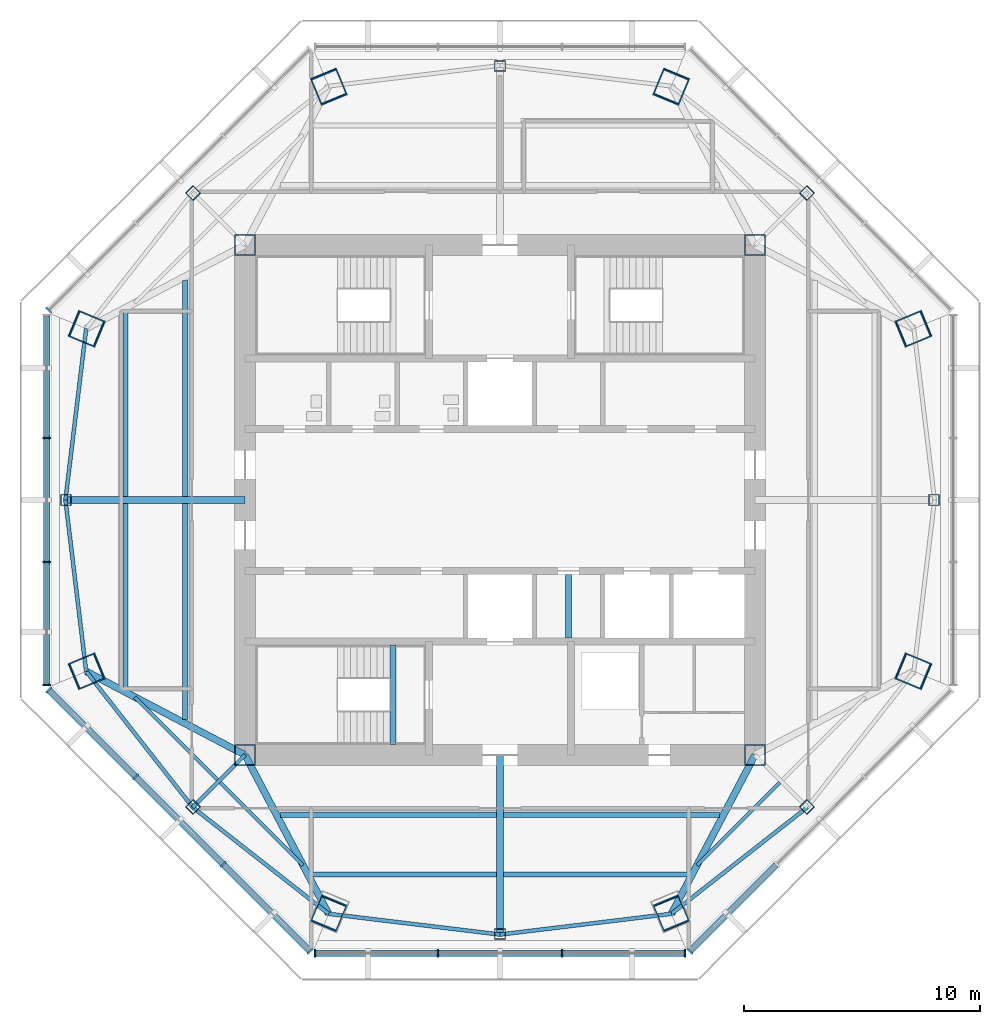
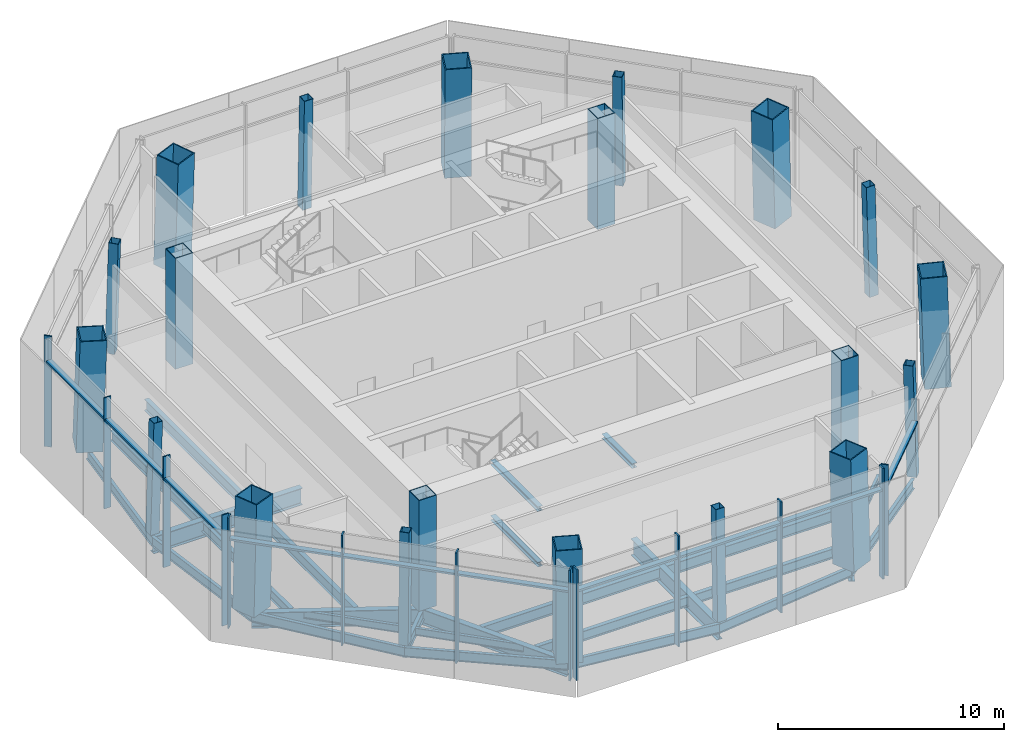
# One storey, part 1 of 11: 27 beams, 23 members, 20 columns, 5 elements without a shape of their own.
"""IFC4 building model written with IfcOpenShell, lengths in metres."""

from ifc_helpers import new_model, si_unit, direction, frame, origin, origin_2d, place, context, subcontext, project, spatial, rectangle, hollow_rectangle, i_section, extrude, source, transform, mapped, material, material_profile, profile_set, type_object, type_shapes, element, aggregate, save


model = new_model("IFC4")

# Units and contexts
model_context = context("Model", 3, precision=1e-05, world=origin(), true_north=direction((0.0, 1.0)))
body_context = subcontext(model_context, "Body", "Model", "MODEL_VIEW")
ifc_project = project(units=[si_unit("LENGTHUNIT", "METRE"), si_unit("AREAUNIT", "SQUARE_METRE"), si_unit("VOLUMEUNIT", "CUBIC_METRE"), si_unit("PLANEANGLEUNIT", "RADIAN"), si_unit("MASSUNIT", "GRAM", prefix="KILO")], contexts=[model_context])

# Site, building, storey
site_placement = place(None, origin())
site = spatial("IfcSite", under=ifc_project, at=site_placement, CompositionType="ELEMENT")
building_placement = place(site_placement, origin())
building = spatial("IfcBuilding", under=site, at=building_placement, Name="Mashrafa Tower", CompositionType="ELEMENT")
storey_placement = place(building_placement, frame((0.0, 0.0, 311.60009765625)))
storey = spatial("IfcBuildingStorey", under=building, at=storey_placement, Name="L77", CompositionType="ELEMENT", Elevation=311.60009765625)

# Columns
ifc_material_1 = material(Name="Steel ASTM A572 Gr 50", Category="steel")
ifc_material_profile_1 = material_profile(ifc_material_1, hollow_rectangle(XDim=0.89990234375, YDim=0.89990234375, WallThickness=0.0400390625, at=origin_2d()), Name="BOX900X900X40")
ifc_profile_set_1 = profile_set([ifc_material_profile_1], Name="Steel ASTM A572 Gr 50")
column_type_1 = type_object("IfcColumnType", Name="Core corner column BOX900X900X40", PredefinedType="COLUMN", material=ifc_profile_set_1)
for number, where, z_axis, x_axis, name in (
    (1, (10.800048828125, 10.800048828125, 0.0), (0.0, 0.0, 1.0), (1.0, 0.0, 0.0), "Core corner column CC-NE L77"),
    (2, (-10.800048828125, 10.800048828125, 0.0), (0.0, 0.0, 1.0), (1.0, 0.0, 0.0), "Core corner column CC-NW L77"),
    (3, (-10.800048828125, -10.800048828125, 0.0), (0.0, 0.0, 1.0), (1.0, 0.0, 0.0), "Core corner column CC-SW L77"),
    (4, (10.800048828125, -10.800048828125, 0.0), (0.0, 0.0, 1.0), (1.0, 0.0, 0.0), "Core corner column CC-SE L77"),
):
    element("IfcColumn", number, at=place(storey_placement, frame(where, z_axis=z_axis, x_axis=x_axis)), inside=storey, type_object=column_type_1, Name=name, PredefinedType="COLUMN", context=body_context, shape_type="SweptSolid", body=[
        extrude(hollow_rectangle(XDim=0.89990234375, YDim=0.89990234375, WallThickness=0.0400390625, at=origin_2d()), origin(), (0.0, 0.0, 1.0), 6.0),
    ])
ifc_material_2 = material(Name="Steel ASTM A572 Gr 50", Category="steel")
ifc_material_profile_2 = material_profile(ifc_material_2, hollow_rectangle(XDim=1.199951171875, YDim=1.199951171875, WallThickness=0.054931640625, at=origin_2d()), Name="BOX1200X1200X55")
ifc_profile_set_2 = profile_set([ifc_material_profile_2], Name="Steel ASTM A572 Gr 50")
column_type_2 = type_object("IfcColumnType", Name="Mega column CFST BOX1200X1200X55", PredefinedType="COLUMN", material=ifc_profile_set_2)
for number, where, z_axis, x_axis, name in (
    (5, (17.521728515625, 7.2578125, 0.0), (-0.028266381762, -0.011713263234, 0.999531795956), (0.38282136346, -0.923822387517, 0.0), "Mega column MC1 L77"),
    (6, (7.2578125, 17.521728515625, 0.0), (-0.011713263234, -0.028266381762, 0.999531795956), (0.923822387517, -0.38282136346, 0.0), "Mega column MC2 L77"),
    (7, (-7.2578125, 17.521728515625, 0.0), (0.011713263234, -0.028266381762, 0.999531795956), (0.923822387517, 0.38282136346, 0.0), "Mega column MC3 L77"),
    (8, (-17.521728515625, 7.2578125, 0.0), (0.028266381762, -0.011713263234, 0.999531795956), (0.38282136346, 0.923822387517, 0.0), "Mega column MC4 L77"),
    (9, (-17.521728515625, -7.2578125, 0.0), (0.028266381762, 0.011713263234, 0.999531795956), (-0.38282136346, 0.923822387517, 0.0), "Mega column MC5 L77"),
    (10, (-7.2578125, -17.521728515625, 0.0), (0.011713263234, 0.028266381762, 0.999531795956), (-0.923822387517, 0.38282136346, 0.0), "Mega column MC6 L77"),
    (11, (7.2578125, -17.521728515625, 0.0), (-0.011713263234, 0.028266381762, 0.999531795956), (-0.923822387517, -0.38282136346, 0.0), "Mega column MC7 L77"),
    (12, (17.521728515625, -7.2578125, 0.0), (-0.028266381762, 0.011713263234, 0.999531795956), (-0.38282136346, -0.923822387517, 0.0), "Mega column MC8 L77"),
):
    element("IfcColumn", number, at=place(storey_placement, frame(where, z_axis=z_axis, x_axis=x_axis)), inside=storey, type_object=column_type_2, Name=name, PredefinedType="COLUMN", context=body_context, shape_type="SweptSolid", body=[
        extrude(hollow_rectangle(XDim=1.199951171875, YDim=1.199951171875, WallThickness=0.054931640625, at=origin_2d()), origin(), (0.0, 0.0, 1.0), 6.0029296875),
    ])
ifc_material_3 = material(Name="Steel ASTM A572 Gr 50", Category="steel")
ifc_material_profile_3 = material_profile(ifc_material_3, hollow_rectangle(XDim=0.449951171875, YDim=0.449951171875, WallThickness=0.02001953125, at=origin_2d()), Name="BOX450X450X20")
ifc_profile_set_3 = profile_set([ifc_material_profile_3], Name="Steel ASTM A572 Gr 50")
column_type_3 = type_object("IfcColumnType", Name="Secondary column BOX450X450X20", PredefinedType="COLUMN", material=ifc_profile_set_3)
for number, where, z_axis, x_axis, name in (
    (13, (18.39990234375, 0.0, 0.0), (-0.028268321043, 0.0, 0.999600371161), (0.0, -1.0, 0.0), "Secondary column SC1 L77"),
    (14, (13.0107421875, 13.0107421875, 0.0), (-0.02001151261, -0.02001151261, 0.999599459147), (0.707106781187, -0.707106781187, 0.0), "Secondary column SC2 L77"),
    (15, (0.0, 18.39990234375, 0.0), (0.0, -0.028268321043, 0.999600371161), (1.0, 0.0, 0.0), "Secondary column SC3 L77"),
    (16, (-13.0107421875, 13.0107421875, 0.0), (0.02001151261, -0.02001151261, 0.999599459147), (0.707106781187, 0.707106781187, 0.0), "Secondary column SC4 L77"),
    (17, (-18.39990234375, 0.0, 0.0), (0.028268321043, 0.0, 0.999600371161), (0.0, 1.0, 0.0), "Secondary column SC5 L77"),
    (18, (-13.0107421875, -13.0107421875, 0.0), (0.02001151261, 0.02001151261, 0.999599459147), (-0.707106781187, 0.707106781187, 0.0), "Secondary column SC6 L77"),
    (19, (0.0, -18.39990234375, 0.0), (0.0, 0.028268321043, 0.999600371161), (-1.0, 0.0, 0.0), "Secondary column SC7 L77"),
    (20, (13.0107421875, -13.0107421875, 0.0), (-0.02001151261, 0.02001151261, 0.999599459147), (-0.707106781187, -0.707106781187, 0.0), "Secondary column SC8 L77"),
):
    element("IfcColumn", number, at=place(storey_placement, frame(where, z_axis=z_axis, x_axis=x_axis)), inside=storey, type_object=column_type_3, Name=name, PredefinedType="COLUMN", context=body_context, shape_type="SweptSolid", body=[
        extrude(hollow_rectangle(XDim=0.449951171875, YDim=0.449951171875, WallThickness=0.02001953125, at=origin_2d()), origin(), (0.0, 0.0, 1.0), 6.00244140625),
    ])

# Beams
ifc_material_4 = material(Name="Steel ASTM A992", Category="steel")
ifc_material_profile_4 = material_profile(ifc_material_4, i_section(OverallWidth=0.140380859375, OverallDepth=0.40380859375, WebThickness=0.007080078125, FlangeThickness=0.01123046875, FilletRadius=0.01025390625, at=origin_2d()), Name="W16X31")
ifc_profile_set_4 = profile_set([ifc_material_profile_4], Name="Steel ASTM A992")
beam_type_1 = type_object("IfcBeamType", Name="Beam W16X31", PredefinedType="BEAM", material=ifc_profile_set_4)
for number, where, z_axis, x_axis, name in (
    (21, (-11.970458984375, -11.844482421875, -0.402099609375), (-0.707082147182, 0.707131414333, 0.0), (-0.707131414333, -0.707082147182, 0.0), "Floor beam L77 006"),
    (22, (-8.34033203125, -15.474365234375, -0.402099609375), (-0.707131414333, 0.707082147182, 0.0), (-0.707082147182, -0.707131414333, 0.0), "Floor beam L77 009"),
    (23, (11.844482421875, -11.970458984375, -0.402099609375), (-0.707131414333, -0.707082147182, 0.0), (0.707082147182, -0.707131414333, 0.0), "Floor beam L77 018"),
):
    element("IfcBeam", number, at=place(storey_placement, frame(where, z_axis=z_axis, x_axis=x_axis)), inside=storey, type_object=beam_type_1, Name=name, PredefinedType="BEAM", context=body_context, shape_type="SweptSolid", body=[
        extrude(i_section(OverallWidth=0.140380859375, OverallDepth=0.40380859375, WebThickness=0.007080078125, FlangeThickness=0.01123046875, FilletRadius=0.01025390625, at=origin_2d()), origin(), (0.0, 0.0, 1.0), 4.95556640625),
    ])
ifc_material_5 = material(Name="Steel ASTM A992", Category="steel")
ifc_material_profile_5 = material_profile(ifc_material_5, i_section(OverallWidth=0.1650390625, OverallDepth=0.52587890625, WebThickness=0.0087890625, FlangeThickness=0.011474609375, FilletRadius=0.0126953125, at=origin_2d()), Name="W21X44")
ifc_profile_set_5 = profile_set([ifc_material_profile_5], Name="Steel ASTM A992")
beam_type_2 = type_object("IfcBeamType", Name="Beam W21X44", PredefinedType="BEAM", material=ifc_profile_set_5)
beam_1_placement = place(storey_placement, frame((-18.40576171875, 0.0, -0.462890625), z_axis=(0.12008510187, -0.992763601422, 0.0), x_axis=(0.992763601422, 0.12008510187, 0.0)))
element("IfcBeam", 24, at=beam_1_placement, inside=storey, type_object=beam_type_2, Name="Spandrel beam L77 041", PredefinedType="BEAM", context=body_context, shape_type="SweptSolid", body=[
    extrude(i_section(OverallWidth=0.1650390625, OverallDepth=0.52587890625, WebThickness=0.0087890625, FlangeThickness=0.011474609375, FilletRadius=0.0126953125, at=origin_2d()), origin(), (0.0, 0.0, 1.0), 7.31298828125),
])
beam_2_placement = place(storey_placement, frame((-17.527587890625, -7.260009765625, -0.462890625), z_axis=(0.617060498234, -0.786915714368, 0.0), x_axis=(0.786915714368, 0.617060498234, 0.0)))
element("IfcBeam", 25, at=beam_2_placement, inside=storey, type_object=beam_type_2, Name="Spandrel beam L77 042", PredefinedType="BEAM", context=body_context, shape_type="SweptSolid", body=[
    extrude(i_section(OverallWidth=0.1650390625, OverallDepth=0.52587890625, WebThickness=0.0087890625, FlangeThickness=0.011474609375, FilletRadius=0.0126953125, at=origin_2d()), origin(), (0.0, 0.0, 1.0), 7.313232421875),
])
beam_3_placement = place(storey_placement, frame((-17.527587890625, 7.260009765625, -0.462890625), z_axis=(-0.12008510187, -0.992763601422, 0.0), x_axis=(0.992763601422, -0.12008510187, 0.0)))
element("IfcBeam", 26, at=beam_3_placement, inside=storey, type_object=beam_type_2, Name="Spandrel beam L77 043", PredefinedType="BEAM", context=body_context, shape_type="SweptSolid", body=[
    extrude(i_section(OverallWidth=0.1650390625, OverallDepth=0.52587890625, WebThickness=0.0087890625, FlangeThickness=0.011474609375, FilletRadius=0.0126953125, at=origin_2d()), origin(), (0.0, 0.0, 1.0), 7.31298828125),
])
beam_4_placement = place(storey_placement, frame((-13.014892578125, -13.014892578125, -0.462890625), z_axis=(0.786915714368, -0.617060498234, 0.0), x_axis=(0.617060498234, 0.786915714368, 0.0)))
element("IfcBeam", 27, at=beam_4_placement, inside=storey, type_object=beam_type_2, Name="Spandrel beam L77 044", PredefinedType="BEAM", context=body_context, shape_type="SweptSolid", body=[
    extrude(i_section(OverallWidth=0.1650390625, OverallDepth=0.52587890625, WebThickness=0.0087890625, FlangeThickness=0.011474609375, FilletRadius=0.0126953125, at=origin_2d()), origin(), (0.0, 0.0, 1.0), 7.313232421875),
])
for number, where, z_axis, x_axis, name in (
    (28, (-7.260009765625, -17.527587890625, -0.462890625), (0.992763601422, -0.12008510187, 0.0), (0.12008510187, 0.992763601422, 0.0), "Spandrel beam L77 046"),
    (29, (0.0, -18.40576171875, -0.462890625), (0.992763601422, 0.12008510187, 0.0), (-0.12008510187, 0.992763601422, 0.0), "Spandrel beam L77 048"),
):
    element("IfcBeam", number, at=place(storey_placement, frame(where, z_axis=z_axis, x_axis=x_axis)), inside=storey, type_object=beam_type_2, Name=name, PredefinedType="BEAM", context=body_context, shape_type="SweptSolid", body=[
        extrude(i_section(OverallWidth=0.1650390625, OverallDepth=0.52587890625, WebThickness=0.0087890625, FlangeThickness=0.011474609375, FilletRadius=0.0126953125, at=origin_2d()), origin(), (0.0, 0.0, 1.0), 7.31298828125),
    ])
beam_5_placement = place(storey_placement, frame((7.260009765625, -17.527587890625, -0.462890625), z_axis=(0.786915714368, 0.617060498234, 0.0), x_axis=(-0.617060498234, 0.786915714368, 0.0)))
element("IfcBeam", 30, at=beam_5_placement, inside=storey, type_object=beam_type_2, Name="Spandrel beam L77 050", PredefinedType="BEAM", context=body_context, shape_type="SweptSolid", body=[
    extrude(i_section(OverallWidth=0.1650390625, OverallDepth=0.52587890625, WebThickness=0.0087890625, FlangeThickness=0.011474609375, FilletRadius=0.0126953125, at=origin_2d()), origin(), (0.0, 0.0, 1.0), 7.313232421875),
])
ifc_material_6 = material(Name="Steel ASTM A992", Category="steel")
ifc_material_profile_6 = material_profile(ifc_material_6, i_section(OverallWidth=0.209228515625, OverallDepth=0.533447265625, WebThickness=0.01025390625, FlangeThickness=0.015625, FilletRadius=0.012939453125, at=origin_2d()), Name="W21X62")
ifc_profile_set_6 = profile_set([ifc_material_profile_6], Name="Steel ASTM A992")
beam_type_3 = type_object("IfcBeamType", Name="Beam W21X62", PredefinedType="BEAM", material=ifc_profile_set_6)
for number, where, z_axis, x_axis, name in (
    (31, (-15.87060546875, -7.967041015625, -0.466796875), (0.0, 1.0, 0.0), (-1.0, 0.0, 0.0), "Floor beam L77 001"),
    (32, (-15.87060546875, 0.15234375, -0.466796875), (0.0, 1.0, 0.0), (-1.0, 0.0, 0.0), "Floor beam L77 002"),
    (33, (-0.15234375, -15.87060546875, -0.466796875), (-1.0, 0.0, 0.0), (0.0, -1.0, 0.0), "Floor beam L77 011"),
    (34, (7.967041015625, -15.87060546875, -0.466796875), (-1.0, 0.0, 0.0), (0.0, -1.0, 0.0), "Floor beam L77 015"),
):
    element("IfcBeam", number, at=place(storey_placement, frame(where, z_axis=z_axis, x_axis=x_axis)), inside=storey, type_object=beam_type_3, Name=name, PredefinedType="BEAM", context=body_context, shape_type="SweptSolid", body=[
        extrude(i_section(OverallWidth=0.209228515625, OverallDepth=0.533447265625, WebThickness=0.01025390625, FlangeThickness=0.015625, FilletRadius=0.012939453125, at=origin_2d()), origin(), (0.0, 0.0, 1.0), 7.814697265625),
    ])
ifc_material_7 = material(Name="Steel ASTM A992", Category="steel")
ifc_material_profile_7 = material_profile(ifc_material_7, i_section(OverallWidth=0.177978515625, OverallDepth=0.599365234375, WebThickness=0.010009765625, FlangeThickness=0.012939453125, FilletRadius=0.012939453125, at=origin_2d()), Name="W24X55")
ifc_profile_set_7 = profile_set([ifc_material_profile_7], Name="Steel ASTM A992")
beam_type_4 = type_object("IfcBeamType", Name="Beam W24X55", PredefinedType="BEAM", material=ifc_profile_set_7)
beam_6_placement = place(storey_placement, frame((-10.800048828125, -10.800048828125, -0.499755859375), z_axis=(-0.707106781187, -0.707106781187, 0.0), x_axis=(0.707106781187, -0.707106781187, 0.0)))
element("IfcBeam", 35, at=beam_6_placement, inside=storey, type_object=beam_type_4, Name="Radial girder L77 026", PredefinedType="BEAM", context=body_context, shape_type="SweptSolid", body=[
    extrude(i_section(OverallWidth=0.177978515625, OverallDepth=0.599365234375, WebThickness=0.010009765625, FlangeThickness=0.012939453125, FilletRadius=0.012939453125, at=origin_2d()), origin(), (0.0, 0.0, 1.0), 3.13232421875),
])
ifc_material_8 = material(Name="Steel ASTM A992", Category="steel")
ifc_material_profile_8 = material_profile(ifc_material_8, i_section(OverallWidth=0.227783203125, OverallDepth=0.60205078125, WebThickness=0.010498046875, FlangeThickness=0.014892578125, FilletRadius=0.012939453125, at=origin_2d()), Name="W24X68")
ifc_profile_set_8 = profile_set([ifc_material_profile_8], Name="Steel ASTM A992")
beam_type_5 = type_object("IfcBeamType", Name="Beam W24X68", PredefinedType="BEAM", material=ifc_profile_set_8)
for number, where, z_axis, x_axis, name in (
    (36, (-13.335205078125, -9.301025390625, -0.5009765625), (0.0, 1.0, 0.0), (-1.0, 0.0, 0.0), "Floor beam L77 004"),
    (37, (-13.335205078125, 0.15234375, -0.5009765625), (0.0, 1.0, 0.0), (-1.0, 0.0, 0.0), "Floor beam L77 005"),
    (38, (-0.15234375, -13.335205078125, -0.5009765625), (-1.0, 0.0, 0.0), (0.0, -1.0, 0.0), "Floor beam L77 012"),
    (39, (9.301025390625, -13.335205078125, -0.5009765625), (-1.0, 0.0, 0.0), (0.0, -1.0, 0.0), "Floor beam L77 017"),
):
    element("IfcBeam", number, at=place(storey_placement, frame(where, z_axis=z_axis, x_axis=x_axis)), inside=storey, type_object=beam_type_5, Name=name, PredefinedType="BEAM", context=body_context, shape_type="SweptSolid", body=[
        extrude(i_section(OverallWidth=0.227783203125, OverallDepth=0.60205078125, WebThickness=0.010498046875, FlangeThickness=0.014892578125, FilletRadius=0.012939453125, at=origin_2d()), origin(), (0.0, 0.0, 1.0), 9.148681640625),
    ])
ifc_material_9 = material(Name="Steel ASTM A992", Category="steel")
ifc_material_profile_9 = material_profile(ifc_material_9, i_section(OverallWidth=0.2919921875, OverallDepth=0.8408203125, WebThickness=0.0146484375, FlangeThickness=0.021728515625, FilletRadius=0.017333984375, at=origin_2d()), Name="W33X130")
ifc_profile_set_9 = profile_set([ifc_material_profile_9], Name="Steel ASTM A992")
beam_type_6 = type_object("IfcBeamType", Name="Beam W33X130", PredefinedType="BEAM", material=ifc_profile_set_9)
for number, where, z_axis, x_axis, name in (
    (40, (-10.800048828125, -10.800048828125, -0.620361328125), (-0.884960017039, 0.465667014337, 0.0), (-0.465667014337, -0.884960017039, 0.0), "Radial girder L77 025"),
    (41, (-10.800048828125, -10.800048828125, -0.620361328125), (0.465667014337, -0.884960017039, 0.0), (0.884960017039, 0.465667014337, 0.0), "Radial girder L77 027"),
    (42, (10.800048828125, -10.800048828125, -0.620361328125), (-0.465667014337, -0.884960017039, 0.0), (0.884960017039, -0.465667014337, 0.0), "Radial girder L77 034"),
):
    element("IfcBeam", number, at=place(storey_placement, frame(where, z_axis=z_axis, x_axis=x_axis)), inside=storey, type_object=beam_type_6, Name=name, PredefinedType="BEAM", context=body_context, shape_type="SweptSolid", body=[
        extrude(i_section(OverallWidth=0.2919921875, OverallDepth=0.8408203125, WebThickness=0.0146484375, FlangeThickness=0.021728515625, FilletRadius=0.017333984375, at=origin_2d()), origin(), (0.0, 0.0, 1.0), 7.60205078125),
    ])
ifc_material_10 = material(Name="Steel ASTM A992", Category="steel")
ifc_material_profile_10 = material_profile(ifc_material_10, i_section(OverallWidth=0.3046875, OverallDepth=0.911865234375, WebThickness=0.015869140625, FlangeThickness=0.02392578125, FilletRadius=0.01904296875, at=origin_2d()), Name="W36X150")
ifc_profile_set_10 = profile_set([ifc_material_profile_10], Name="Steel ASTM A992")
beam_type_7 = type_object("IfcBeamType", Name="Beam W36X150", PredefinedType="BEAM", material=ifc_profile_set_10)
for number, where, z_axis, x_axis, name in (
    (43, (-10.800048828125, 0.0, -0.656005859375), (-1.0, 0.0, 0.0), (0.0, -1.0, 0.0), "Radial girder L77 028"),
    (44, (0.0, -10.800048828125, -0.656005859375), (0.0, -1.0, 0.0), (1.0, 0.0, 0.0), "Radial girder L77 032"),
):
    element("IfcBeam", number, at=place(storey_placement, frame(where, z_axis=z_axis, x_axis=x_axis)), inside=storey, type_object=beam_type_7, Name=name, PredefinedType="BEAM", context=body_context, shape_type="SweptSolid", body=[
        extrude(i_section(OverallWidth=0.3046875, OverallDepth=0.911865234375, WebThickness=0.015869140625, FlangeThickness=0.02392578125, FilletRadius=0.01904296875, at=origin_2d()), origin(), (0.0, 0.0, 1.0), 7.605712890625),
    ])
ifc_material_11 = material(Name="Steel ASTM A992", Category="steel")
ifc_material_profile_11 = material_profile(ifc_material_11, i_section(OverallWidth=0.25390625, OverallDepth=0.25390625, WebThickness=0.008544921875, FlangeThickness=0.01416015625, FilletRadius=0.010009765625, at=origin_2d()), Name="W10X49")
ifc_profile_set_11 = profile_set([ifc_material_profile_11], Name="Steel ASTM A992")
beam_type_8 = type_object("IfcBeamType", Name="Hoistway beam W10X49", PredefinedType="BEAM", material=ifc_profile_set_11)
beam_7_placement = place(storey_placement, frame((2.89990234375, -5.85009765625, -0.3271484375), z_axis=(0.0, 1.0, 0.0), x_axis=(-1.0, 0.0, 0.0)))
element("IfcBeam", 45, at=beam_7_placement, inside=storey, type_object=beam_type_8, Name="Hoistway beam L77 08", PredefinedType="BEAM", context=body_context, shape_type="SweptSolid", body=[
    extrude(i_section(OverallWidth=0.25390625, OverallDepth=0.25390625, WebThickness=0.008544921875, FlangeThickness=0.01416015625, FilletRadius=0.010009765625, at=origin_2d()), origin(), (0.0, 0.0, 1.0), 2.7001953125),
])
for number, where, z_axis, x_axis, name in (
    (46, (-4.530029296875, -10.35009765625, -0.3271484375), (0.0, 1.0, 0.0), (-1.0, 0.0, 0.0), "Stair S3 landing beam L77"),
    (47, (-4.530029296875, -10.35009765625, 2.6728515625), (0.0, 1.0, 0.0), (-1.0, 0.0, 0.0), "Stair S3 landing beam L77"),
):
    element("IfcBeam", number, at=place(storey_placement, frame(where, z_axis=z_axis, x_axis=x_axis)), inside=storey, type_object=beam_type_8, Name=name, PredefinedType="BEAM", context=body_context, shape_type="SweptSolid", body=[
        extrude(i_section(OverallWidth=0.25390625, OverallDepth=0.25390625, WebThickness=0.008544921875, FlangeThickness=0.01416015625, FilletRadius=0.010009765625, at=origin_2d()), origin(), (0.0, 0.0, 1.0), 4.2001953125),
    ])

# Curtain wall, member
ifc_material_12 = material(Name="Unitised aluminium curtain wall", Category="aluminium")
curtain_wall_type = type_object("IfcCurtainWallType", Name="Observation curtain wall CW-F 350 deep", PredefinedType="NOTDEFINED", material=ifc_material_12)
curtain_wall_1_placement = place(storey_placement, origin())
curtain_wall_1 = element("IfcCurtainWall", 48, at=curtain_wall_1_placement, inside=storey, type_object=curtain_wall_type, Name="Observation curtain wall L77 north-west", PredefinedType="NOTDEFINED")
ifc_material_13 = material(Name="Extruded aluminium mullion", Category="aluminium")
ifc_material_profile_12 = material_profile(ifc_material_13, rectangle(XDim=0.35009765625, YDim=0.074951171875, at=origin_2d()), Name="Mullion 75x350")
ifc_profile_set_12 = profile_set([ifc_material_profile_12], Name="Extruded aluminium mullion")
member_type_1 = type_object("IfcMemberType", Name="Mullion CW-F 75 x 350", PredefinedType="MULLION", material=ifc_profile_set_12)
shared_shape_1 = source(origin(), body_context, "Body", "SweptSolid", [
    extrude(rectangle(XDim=0.35009765625, YDim=0.074951171875, at=origin_2d()), origin(), (0.0, 0.0, 1.0), 6.0),
])
type_shapes(member_type_1, [shared_shape_1])
member_1_placement = place(storey_placement, frame((-19.115234375, 8.037841796875, 0.0), z_axis=(0.0, 0.0, 1.0), x_axis=(0.707106781187, -0.707106781187, 0.0)))
member_1 = element("IfcMember", 49, at=member_1_placement, type_object=member_type_1, Name="CW-F mullion 4", PredefinedType="MULLION", context=body_context, shape_type="MappedRepresentation", body=[
    mapped(shared_shape_1, transform((0.0, 0.0, 0.0))),
])
aggregate(curtain_wall_1, [member_1])

# Curtain wall, members
curtain_wall_2_placement = place(storey_placement, origin())
curtain_wall_2 = element("IfcCurtainWall", 50, at=curtain_wall_2_placement, inside=storey, type_object=curtain_wall_type, Name="Observation curtain wall L77 west", PredefinedType="NOTDEFINED")
member_2_placement = place(storey_placement, frame((-19.199951171875, 2.62353515625, 0.0), z_axis=(0.0, 0.0, 1.0), x_axis=(1.0, 0.0, 0.0)))
member_2 = element("IfcMember", 51, at=member_2_placement, type_object=member_type_1, Name="CW-F mullion 2", PredefinedType="MULLION", context=body_context, shape_type="MappedRepresentation", body=[
    mapped(shared_shape_1, transform((0.0, 0.0, 0.0))),
])
member_3_placement = place(storey_placement, frame((-19.199951171875, -2.62353515625, 0.0), z_axis=(0.0, 0.0, 1.0), x_axis=(1.0, 0.0, 0.0)))
member_3 = element("IfcMember", 52, at=member_3_placement, type_object=member_type_1, Name="CW-F mullion 3", PredefinedType="MULLION", context=body_context, shape_type="MappedRepresentation", body=[
    mapped(shared_shape_1, transform((0.0, 0.0, 0.0))),
])
member_4_placement = place(storey_placement, frame((-19.199951171875, -7.8330078125, 0.0), z_axis=(0.0, 0.0, 1.0), x_axis=(1.0, 0.0, 0.0)))
member_4 = element("IfcMember", 53, at=member_4_placement, type_object=member_type_1, Name="CW-F mullion 4", PredefinedType="MULLION", context=body_context, shape_type="MappedRepresentation", body=[
    mapped(shared_shape_1, transform((0.0, 0.0, 0.0))),
])

curtain_wall_3_placement = place(storey_placement, origin())
curtain_wall_3 = element("IfcCurtainWall", 54, at=curtain_wall_3_placement, inside=storey, type_object=curtain_wall_type, Name="Observation curtain wall L77 south-west", PredefinedType="NOTDEFINED")
member_5_placement = place(storey_placement, frame((-19.115234375, -8.037841796875, 0.0), z_axis=(0.0, 0.0, 1.0), x_axis=(0.707106781187, 0.707106781187, 0.0)))
member_5 = element("IfcMember", 55, at=member_5_placement, type_object=member_type_1, Name="CW-F mullion 1", PredefinedType="MULLION", context=body_context, shape_type="MappedRepresentation", body=[
    mapped(shared_shape_1, transform((0.0, 0.0, 0.0))),
])
member_6_placement = place(storey_placement, frame((-15.431640625, -11.721435546875, 0.0), z_axis=(0.0, 0.0, 1.0), x_axis=(0.707106781187, 0.707106781187, 0.0)))
member_6 = element("IfcMember", 56, at=member_6_placement, type_object=member_type_1, Name="CW-F mullion 2", PredefinedType="MULLION", context=body_context, shape_type="MappedRepresentation", body=[
    mapped(shared_shape_1, transform((0.0, 0.0, 0.0))),
])
member_7_placement = place(storey_placement, frame((-11.721435546875, -15.431640625, 0.0), z_axis=(0.0, 0.0, 1.0), x_axis=(0.707106781187, 0.707106781187, 0.0)))
member_7 = element("IfcMember", 57, at=member_7_placement, type_object=member_type_1, Name="CW-F mullion 3", PredefinedType="MULLION", context=body_context, shape_type="MappedRepresentation", body=[
    mapped(shared_shape_1, transform((0.0, 0.0, 0.0))),
])
member_8_placement = place(storey_placement, frame((-8.037841796875, -19.115234375, 0.0), z_axis=(0.0, 0.0, 1.0), x_axis=(0.707106781187, 0.707106781187, 0.0)))
member_8 = element("IfcMember", 58, at=member_8_placement, type_object=member_type_1, Name="CW-F mullion 4", PredefinedType="MULLION", context=body_context, shape_type="MappedRepresentation", body=[
    mapped(shared_shape_1, transform((0.0, 0.0, 0.0))),
])

curtain_wall_4_placement = place(storey_placement, origin())
curtain_wall_4 = element("IfcCurtainWall", 59, at=curtain_wall_4_placement, inside=storey, type_object=curtain_wall_type, Name="Observation curtain wall L77 south", PredefinedType="NOTDEFINED")
member_9_placement = place(storey_placement, frame((-7.8330078125, -19.199951171875, 0.0), z_axis=(0.0, 0.0, 1.0), x_axis=(0.0, 1.0, 0.0)))
member_9 = element("IfcMember", 60, at=member_9_placement, type_object=member_type_1, Name="CW-F mullion 1", PredefinedType="MULLION", context=body_context, shape_type="MappedRepresentation", body=[
    mapped(shared_shape_1, transform((0.0, 0.0, 0.0))),
])
member_10_placement = place(storey_placement, frame((-2.62353515625, -19.199951171875, 0.0), z_axis=(0.0, 0.0, 1.0), x_axis=(0.0, 1.0, 0.0)))
member_10 = element("IfcMember", 61, at=member_10_placement, type_object=member_type_1, Name="CW-F mullion 2", PredefinedType="MULLION", context=body_context, shape_type="MappedRepresentation", body=[
    mapped(shared_shape_1, transform((0.0, 0.0, 0.0))),
])
member_11_placement = place(storey_placement, frame((2.62353515625, -19.199951171875, 0.0), z_axis=(0.0, 0.0, 1.0), x_axis=(0.0, 1.0, 0.0)))
member_11 = element("IfcMember", 62, at=member_11_placement, type_object=member_type_1, Name="CW-F mullion 3", PredefinedType="MULLION", context=body_context, shape_type="MappedRepresentation", body=[
    mapped(shared_shape_1, transform((0.0, 0.0, 0.0))),
])
member_12_placement = place(storey_placement, frame((7.8330078125, -19.199951171875, 0.0), z_axis=(0.0, 0.0, 1.0), x_axis=(0.0, 1.0, 0.0)))
member_12 = element("IfcMember", 63, at=member_12_placement, type_object=member_type_1, Name="CW-F mullion 4", PredefinedType="MULLION", context=body_context, shape_type="MappedRepresentation", body=[
    mapped(shared_shape_1, transform((0.0, 0.0, 0.0))),
])

# Curtain wall, member
curtain_wall_5_placement = place(storey_placement, origin())
curtain_wall_5 = element("IfcCurtainWall", 64, at=curtain_wall_5_placement, inside=storey, type_object=curtain_wall_type, Name="Observation curtain wall L77 south-east", PredefinedType="NOTDEFINED")
member_13_placement = place(storey_placement, frame((8.037841796875, -19.115234375, 0.0), z_axis=(0.0, 0.0, 1.0), x_axis=(-0.707106781187, 0.707106781187, 0.0)))
member_13 = element("IfcMember", 65, at=member_13_placement, type_object=member_type_1, Name="CW-F mullion 1", PredefinedType="MULLION", context=body_context, shape_type="MappedRepresentation", body=[
    mapped(shared_shape_1, transform((0.0, 0.0, 0.0))),
])

# Member
ifc_material_14 = material(Name="Extruded aluminium transom", Category="aluminium")
ifc_material_profile_13 = material_profile(ifc_material_14, rectangle(XDim=0.280029296875, YDim=0.10009765625, at=origin_2d()), Name="Transom 100x280")
ifc_profile_set_13 = profile_set([ifc_material_profile_13], Name="Extruded aluminium transom")
member_type_2 = type_object("IfcMemberType", Name="Transom CW-F 100 x 280", PredefinedType="MULLION", material=ifc_profile_set_13)
shared_shape_2 = source(origin(), body_context, "Body", "SweptSolid", [
    extrude(rectangle(XDim=0.280029296875, YDim=0.10009765625, at=origin_2d()), origin(), (0.0, 0.0, 1.0), 5.134521484375),
])
member_14_placement = place(storey_placement, frame((-19.199951171875, 7.79541015625, 4.7998046875), z_axis=(0.0, -1.0, 0.0), x_axis=(1.0, 0.0, 0.0)))
member_14 = element("IfcMember", 66, at=member_14_placement, type_object=member_type_2, Name="CW-F transom 1", PredefinedType="MULLION", context=body_context, shape_type="MappedRepresentation", body=[
    mapped(shared_shape_2, transform((0.0, 0.0, 0.0))),
])

member_15_placement = place(storey_placement, frame((-19.199951171875, -2.660888671875, 4.7998046875), z_axis=(0.0, -1.0, 0.0), x_axis=(1.0, 0.0, 0.0)))
member_15 = element("IfcMember", 67, at=member_15_placement, type_object=member_type_2, Name="CW-F transom 3", PredefinedType="MULLION", context=body_context, shape_type="MappedRepresentation", body=[
    mapped(shared_shape_2, transform((0.0, 0.0, 0.0))),
])

member_16_placement = place(storey_placement, frame((-19.088623046875, -8.064208984375, 4.7998046875), z_axis=(0.707106781187, -0.707106781187, 0.0), x_axis=(0.707106781187, 0.707106781187, 0.0)))
member_16 = element("IfcMember", 68, at=member_16_placement, type_object=member_type_2, Name="CW-F transom 1", PredefinedType="MULLION", context=body_context, shape_type="MappedRepresentation", body=[
    mapped(shared_shape_2, transform((0.0, 0.0, 0.0))),
])

member_17_placement = place(storey_placement, frame((-11.69482421875, -15.4580078125, 4.7998046875), z_axis=(0.707106781187, -0.707106781187, 0.0), x_axis=(0.707106781187, 0.707106781187, 0.0)))
member_17 = element("IfcMember", 69, at=member_17_placement, type_object=member_type_2, Name="CW-F transom 3", PredefinedType="MULLION", context=body_context, shape_type="MappedRepresentation", body=[
    mapped(shared_shape_2, transform((0.0, 0.0, 0.0))),
])

member_18_placement = place(storey_placement, frame((-7.79541015625, -19.199951171875, 4.7998046875), z_axis=(1.0, 0.0, 0.0), x_axis=(0.0, 1.0, 0.0)))
member_18 = element("IfcMember", 70, at=member_18_placement, type_object=member_type_2, Name="CW-F transom 1", PredefinedType="MULLION", context=body_context, shape_type="MappedRepresentation", body=[
    mapped(shared_shape_2, transform((0.0, 0.0, 0.0))),
])

member_19_placement = place(storey_placement, frame((2.660888671875, -19.199951171875, 4.7998046875), z_axis=(1.0, 0.0, 0.0), x_axis=(0.0, 1.0, 0.0)))
member_19 = element("IfcMember", 71, at=member_19_placement, type_object=member_type_2, Name="CW-F transom 3", PredefinedType="MULLION", context=body_context, shape_type="MappedRepresentation", body=[
    mapped(shared_shape_2, transform((0.0, 0.0, 0.0))),
])

member_20_placement = place(storey_placement, frame((8.064208984375, -19.088623046875, 4.7998046875), z_axis=(0.707106781187, 0.707106781187, 0.0), x_axis=(-0.707106781187, 0.707106781187, 0.0)))
member_20 = element("IfcMember", 72, at=member_20_placement, type_object=member_type_2, Name="CW-F transom 1", PredefinedType="MULLION", context=body_context, shape_type="MappedRepresentation", body=[
    mapped(shared_shape_2, transform((0.0, 0.0, 0.0))),
])

aggregate(curtain_wall_5, [member_13, member_20])

shared_shape_3 = source(origin(), body_context, "Body", "SweptSolid", [
    extrude(rectangle(XDim=0.280029296875, YDim=0.10009765625, at=origin_2d()), origin(), (0.0, 0.0, 1.0), 5.171875),
])
member_21_placement = place(storey_placement, frame((-19.199951171875, 2.5859375, 4.7998046875), z_axis=(0.0, -1.0, 0.0), x_axis=(1.0, 0.0, 0.0)))
member_21 = element("IfcMember", 73, at=member_21_placement, type_object=member_type_2, Name="CW-F transom 2", PredefinedType="MULLION", context=body_context, shape_type="MappedRepresentation", body=[
    mapped(shared_shape_3, transform((0.0, 0.0, 0.0))),
])

aggregate(curtain_wall_2, [member_2, member_3, member_4, member_14, member_21, member_15])

member_22_placement = place(storey_placement, frame((-2.5859375, -19.199951171875, 4.7998046875), z_axis=(1.0, 0.0, 0.0), x_axis=(0.0, 1.0, 0.0)))
member_22 = element("IfcMember", 74, at=member_22_placement, type_object=member_type_2, Name="CW-F transom 2", PredefinedType="MULLION", context=body_context, shape_type="MappedRepresentation", body=[
    mapped(shared_shape_3, transform((0.0, 0.0, 0.0))),
])

aggregate(curtain_wall_4, [member_9, member_10, member_11, member_12, member_18, member_22, member_19])

shared_shape_4 = source(origin(), body_context, "Body", "SweptSolid", [
    extrude(rectangle(XDim=0.280029296875, YDim=0.10009765625, at=origin_2d()), origin(), (0.0, 0.0, 1.0), 5.172119140625),
])
type_shapes(member_type_2, [shared_shape_2, shared_shape_3, shared_shape_4])
member_23_placement = place(storey_placement, frame((-15.405029296875, -11.747802734375, 4.7998046875), z_axis=(0.707106781187, -0.707106781187, 0.0), x_axis=(0.707106781187, 0.707106781187, 0.0)))
member_23 = element("IfcMember", 75, at=member_23_placement, type_object=member_type_2, Name="CW-F transom 2", PredefinedType="MULLION", context=body_context, shape_type="MappedRepresentation", body=[
    mapped(shared_shape_4, transform((0.0, 0.0, 0.0))),
])

aggregate(curtain_wall_3, [member_5, member_6, member_7, member_8, member_16, member_23, member_17])

save(model, "model.ifc")
